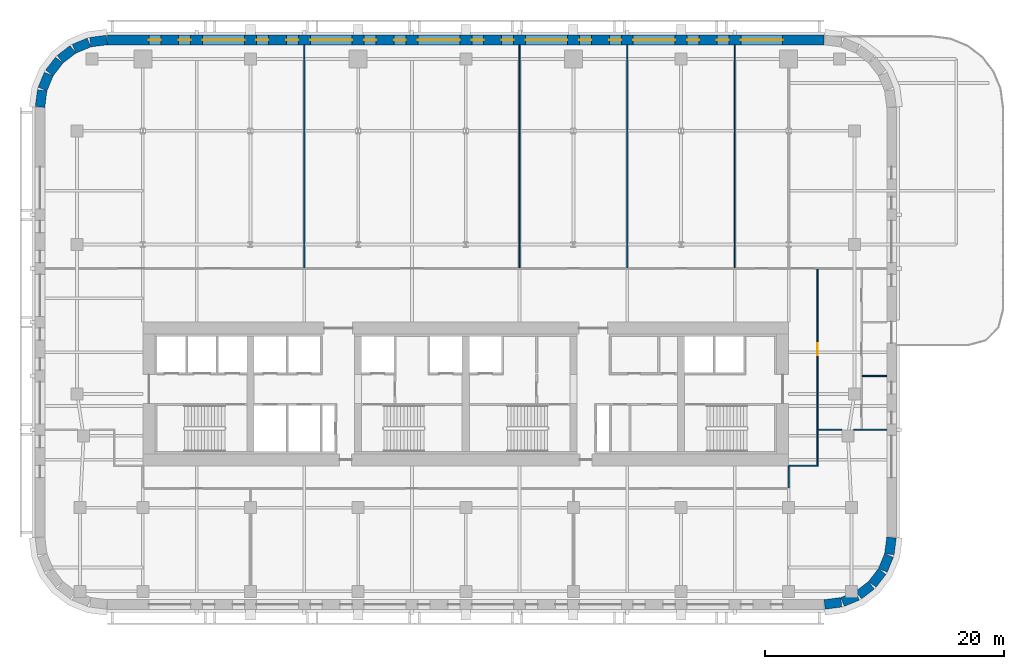
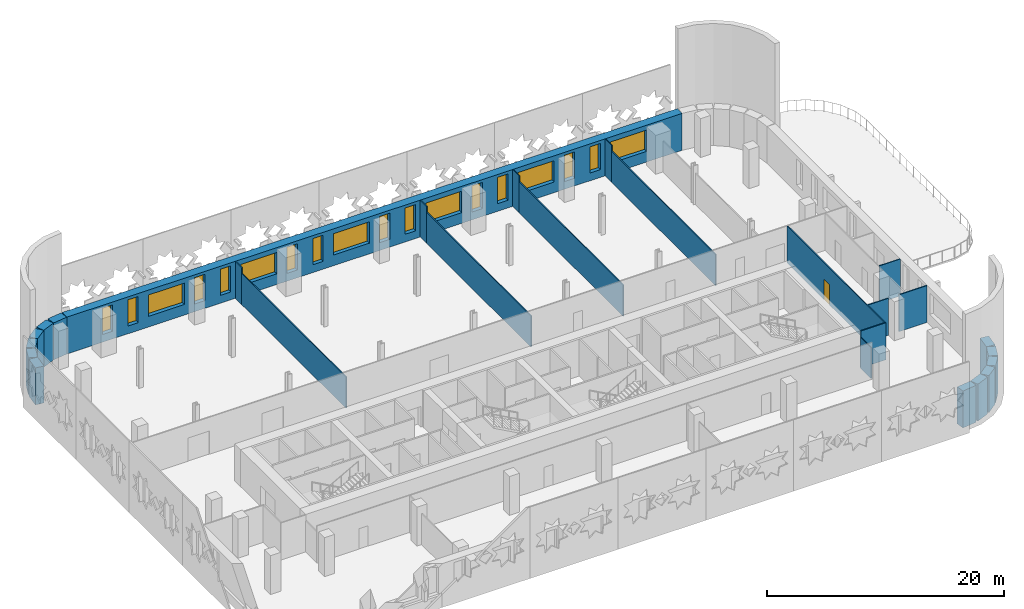
# One storey, part 6 of 11: 27 walls, 18 windows, 1 door, 19 openings.
"""IFC4 building model written with IfcOpenShell, lengths in metres."""

from ifc_helpers import new_model, si_unit, direction, frame, frame_2d, origin, place, context, subcontext, project, spatial, rectangle, extrude, material, layer, layer_set, type_object, element, fill, save


model = new_model("IFC4")

# Units and contexts
model_context = context("Model", 3, precision=1e-05, world=origin(), true_north=direction((0.0, 1.0)))
body_context = subcontext(model_context, "Body", "Model", "MODEL_VIEW")
ifc_project = project(units=[si_unit("LENGTHUNIT", "METRE"), si_unit("AREAUNIT", "SQUARE_METRE"), si_unit("VOLUMEUNIT", "CUBIC_METRE"), si_unit("PLANEANGLEUNIT", "RADIAN"), si_unit("MASSUNIT", "GRAM", prefix="KILO")], contexts=[model_context])

# Site, building, storey
site_placement = place(None, origin())
site = spatial("IfcSite", under=ifc_project, at=site_placement, CompositionType="ELEMENT")
building_placement = place(site_placement, origin())
building = spatial("IfcBuilding", under=site, at=building_placement, Name="Zellij Exchange Tower", CompositionType="ELEMENT")
storey_placement = place(building_placement, frame((0.0, 0.0, 144.5)))
storey = spatial("IfcBuildingStorey", under=building, at=storey_placement, Name="L32", CompositionType="ELEMENT", Elevation=144.5)

# Walls
ifc_material_1 = material(Name="Precast concrete C40/50", Category="concrete")
ifc_layer_1 = layer(ifc_material_1, 0.800048828125)
ifc_layer_set_1 = layer_set([ifc_layer_1], Name="Precast concrete C40/50")
wall_type_1 = type_object("IfcWallType", Name="ENV-EW1 Precast stone-piered wall 800", PredefinedType="SOLIDWALL", material=ifc_layer_set_1)
wall_1_placement = place(storey_placement, frame((29.999755859375, -25.5966796875, 0.0), z_axis=(0.0, 0.0, 1.0), x_axis=(0.99144603414, 0.130517283865, 0.0)))
element("IfcWall", 1, at=wall_1_placement, inside=storey, type_object=wall_type_1, Name="fac.L32.01", PredefinedType="SOLIDWALL", context=body_context, shape_type="SweptSolid", body=[
    extrude(rectangle(XDim=1.408447265625, YDim=0.800048828125, at=frame_2d((0.7041015625, 0.0))), origin(), (0.0, 0.0, 1.0), 3.800048828125),
])
wall_2_placement = place(storey_placement, frame((31.497314453125, -25.3857421875, 0.0), z_axis=(0.0, 0.0, 1.0), x_axis=(0.923847774587, 0.38276009378, 0.0)))
element("IfcWall", 2, at=wall_2_placement, inside=storey, type_object=wall_type_1, Name="fac.L32.02", PredefinedType="SOLIDWALL", context=body_context, shape_type="SweptSolid", body=[
    extrude(rectangle(XDim=1.35546875, YDim=0.800048828125, at=frame_2d((0.677734375, 0.0))), origin(), (0.0, 0.0, 1.0), 3.800048828125),
])
for number, where, z_axis, x_axis, name in (
    (3, (32.840087890625, -24.814697265625, 0.0), (0.0, 0.0, 1.0), (0.793272915452, 0.608866226366, 0.0), "fac.L32.03"),
    (4, (33.9892578125, -23.91552734375, 0.0), (0.0, 0.0, 1.0), (0.608866226366, 0.793272915452, 0.0), "fac.L32.04"),
):
    element("IfcWall", number, at=place(storey_placement, frame(where, z_axis=z_axis, x_axis=x_axis)), inside=storey, type_object=wall_type_1, Name=name, PredefinedType="SOLIDWALL", context=body_context, shape_type="SweptSolid", body=[
        extrude(rectangle(XDim=1.355712890625, YDim=0.800048828125, at=frame_2d((0.677734375, 0.0))), origin(), (0.0, 0.0, 1.0), 3.800048828125),
    ])
wall_3_placement = place(storey_placement, frame((34.866943359375, -22.74951171875, 0.0), z_axis=(0.0, 0.0, 1.0), x_axis=(0.38276009378, 0.923847774587, 0.0)))
element("IfcWall", 5, at=wall_3_placement, inside=storey, type_object=wall_type_1, Name="fac.L32.05", PredefinedType="SOLIDWALL", context=body_context, shape_type="SweptSolid", body=[
    extrude(rectangle(XDim=1.35546875, YDim=0.800048828125, at=frame_2d((0.677734375, 0.0))), origin(), (0.0, 0.0, 1.0), 3.800048828125),
])
wall_4_placement = place(storey_placement, frame((35.412841796875, -21.396240234375, 0.0), z_axis=(0.0, 0.0, 1.0), x_axis=(0.130517283865, 0.99144603414, 0.0)))
element("IfcWall", 6, at=wall_4_placement, inside=storey, type_object=wall_type_1, Name="fac.L32.06", PredefinedType="SOLIDWALL", context=body_context, shape_type="SweptSolid", body=[
    extrude(rectangle(XDim=1.408447265625, YDim=0.800048828125, at=frame_2d((0.7041015625, 0.0))), origin(), (0.0, 0.0, 1.0), 3.800048828125),
])

# Wall, openings, windows
wall_5_placement = place(storey_placement, frame((29.947509765625, 21.60009765625, 0.0), z_axis=(0.0, 0.0, 1.0), x_axis=(-1.0, 0.0, 0.0)))
wall_5 = element("IfcWall", 7, at=wall_5_placement, inside=storey, type_object=wall_type_1, Name="fac.L32.14", PredefinedType="SOLIDWALL", context=body_context, shape_type="SweptSolid", body=[
    extrude(rectangle(XDim=59.89501953125, YDim=0.800048828125, at=frame_2d((29.947509765625, 0.0))), origin(), (0.0, 0.0, 1.0), 3.800048828125),
])
opening_1_placement = place(wall_5_placement, frame((3.447509765625, 0.0, 1.10009765625)))
opening_1 = element("IfcOpeningElement", 8, at=opening_1_placement, cuts=wall_5, Name="Opening FZ2.26", PredefinedType="OPENING", context=body_context, shape_type="SweptSolid", body=[
    extrude(rectangle(XDim=3.5, YDim=2.199951171875, at=frame_2d((1.75, 1.10009765625))), frame((0.0, 0.412109375, 0.0), z_axis=(0.0, -1.0, 0.0), x_axis=(1.0, 0.0, 0.0)), (0.0, 0.0, 1.0), 0.823974609375),
])
opening_2_placement = place(wall_5_placement, frame((7.947509765625, 0.0, 0.800048828125)))
opening_2 = element("IfcOpeningElement", 9, at=opening_2_placement, cuts=wall_5, Name="Opening FZ2.27", PredefinedType="OPENING", context=body_context, shape_type="SweptSolid", body=[
    extrude(rectangle(XDim=1.0, YDim=2.699951171875, at=frame_2d((0.5, 1.35009765625))), frame((0.0, 0.412109375, 0.0), z_axis=(0.0, -1.0, 0.0), x_axis=(1.0, 0.0, 0.0)), (0.0, 0.0, 1.0), 0.823974609375),
])
opening_3_placement = place(wall_5_placement, frame((10.447509765625, 0.0, 0.800048828125)))
opening_3 = element("IfcOpeningElement", 10, at=opening_3_placement, cuts=wall_5, Name="Opening FZ2.28", PredefinedType="OPENING", context=body_context, shape_type="SweptSolid", body=[
    extrude(rectangle(XDim=1.0, YDim=2.699951171875, at=frame_2d((0.5, 1.35009765625))), frame((0.0, 0.412109375, 0.0), z_axis=(0.0, -1.0, 0.0), x_axis=(1.0, 0.0, 0.0)), (0.0, 0.0, 1.0), 0.823974609375),
])
opening_4_placement = place(wall_5_placement, frame((12.447509765625, 0.0, 1.10009765625)))
opening_4 = element("IfcOpeningElement", 11, at=opening_4_placement, cuts=wall_5, Name="Opening FZ2.29", PredefinedType="OPENING", context=body_context, shape_type="SweptSolid", body=[
    extrude(rectangle(XDim=3.5, YDim=2.199951171875, at=frame_2d((1.75, 1.10009765625))), frame((0.0, 0.412109375, 0.0), z_axis=(0.0, -1.0, 0.0), x_axis=(1.0, 0.0, 0.0)), (0.0, 0.0, 1.0), 0.823974609375),
])
opening_5_placement = place(wall_5_placement, frame((16.947509765625, 0.0, 0.800048828125)))
opening_5 = element("IfcOpeningElement", 12, at=opening_5_placement, cuts=wall_5, Name="Opening FZ2.30", PredefinedType="OPENING", context=body_context, shape_type="SweptSolid", body=[
    extrude(rectangle(XDim=1.0, YDim=2.699951171875, at=frame_2d((0.5, 1.35009765625))), frame((0.0, 0.412109375, 0.0), z_axis=(0.0, -1.0, 0.0), x_axis=(1.0, 0.0, 0.0)), (0.0, 0.0, 1.0), 0.823974609375),
])
opening_6_placement = place(wall_5_placement, frame((19.447509765625, 0.0, 0.800048828125)))
opening_6 = element("IfcOpeningElement", 13, at=opening_6_placement, cuts=wall_5, Name="Opening FZ2.31", PredefinedType="OPENING", context=body_context, shape_type="SweptSolid", body=[
    extrude(rectangle(XDim=1.0, YDim=2.699951171875, at=frame_2d((0.5, 1.35009765625))), frame((0.0, 0.412109375, 0.0), z_axis=(0.0, -1.0, 0.0), x_axis=(1.0, 0.0, 0.0)), (0.0, 0.0, 1.0), 0.823974609375),
])
opening_7_placement = place(wall_5_placement, frame((21.447509765625, 0.0, 1.10009765625)))
opening_7 = element("IfcOpeningElement", 14, at=opening_7_placement, cuts=wall_5, Name="Opening FZ2.32", PredefinedType="OPENING", context=body_context, shape_type="SweptSolid", body=[
    extrude(rectangle(XDim=3.5, YDim=2.199951171875, at=frame_2d((1.75, 1.10009765625))), frame((0.0, 0.412109375, 0.0), z_axis=(0.0, -1.0, 0.0), x_axis=(1.0, 0.0, 0.0)), (0.0, 0.0, 1.0), 0.823974609375),
])
opening_8_placement = place(wall_5_placement, frame((25.947509765625, 0.0, 0.800048828125)))
opening_8 = element("IfcOpeningElement", 15, at=opening_8_placement, cuts=wall_5, Name="Opening FZ2.33", PredefinedType="OPENING", context=body_context, shape_type="SweptSolid", body=[
    extrude(rectangle(XDim=1.0, YDim=2.699951171875, at=frame_2d((0.5, 1.35009765625))), frame((0.0, 0.412109375, 0.0), z_axis=(0.0, -1.0, 0.0), x_axis=(1.0, 0.0, 0.0)), (0.0, 0.0, 1.0), 0.823974609375),
])
opening_9_placement = place(wall_5_placement, frame((28.447509765625, 0.0, 0.800048828125)))
opening_9 = element("IfcOpeningElement", 16, at=opening_9_placement, cuts=wall_5, Name="Opening FZ2.34", PredefinedType="OPENING", context=body_context, shape_type="SweptSolid", body=[
    extrude(rectangle(XDim=1.0, YDim=2.699951171875, at=frame_2d((0.5, 1.35009765625))), frame((0.0, 0.412109375, 0.0), z_axis=(0.0, -1.0, 0.0), x_axis=(1.0, 0.0, 0.0)), (0.0, 0.0, 1.0), 0.823974609375),
])
opening_10_placement = place(wall_5_placement, frame((30.447509765625, 0.0, 1.10009765625)))
opening_10 = element("IfcOpeningElement", 17, at=opening_10_placement, cuts=wall_5, Name="Opening FZ2.35", PredefinedType="OPENING", context=body_context, shape_type="SweptSolid", body=[
    extrude(rectangle(XDim=3.5, YDim=2.199951171875, at=frame_2d((1.75, 1.10009765625))), frame((0.0, 0.412109375, 0.0), z_axis=(0.0, -1.0, 0.0), x_axis=(1.0, 0.0, 0.0)), (0.0, 0.0, 1.0), 0.823974609375),
])
opening_11_placement = place(wall_5_placement, frame((34.947509765625, 0.0, 0.800048828125)))
opening_11 = element("IfcOpeningElement", 18, at=opening_11_placement, cuts=wall_5, Name="Opening FZ2.36", PredefinedType="OPENING", context=body_context, shape_type="SweptSolid", body=[
    extrude(rectangle(XDim=1.0, YDim=2.699951171875, at=frame_2d((0.5, 1.35009765625))), frame((0.0, 0.412109375, 0.0), z_axis=(0.0, -1.0, 0.0), x_axis=(1.0, 0.0, 0.0)), (0.0, 0.0, 1.0), 0.823974609375),
])
opening_12_placement = place(wall_5_placement, frame((37.447509765625, 0.0, 0.800048828125)))
opening_12 = element("IfcOpeningElement", 19, at=opening_12_placement, cuts=wall_5, Name="Opening FZ2.37", PredefinedType="OPENING", context=body_context, shape_type="SweptSolid", body=[
    extrude(rectangle(XDim=1.0, YDim=2.699951171875, at=frame_2d((0.5, 1.35009765625))), frame((0.0, 0.412109375, 0.0), z_axis=(0.0, -1.0, 0.0), x_axis=(1.0, 0.0, 0.0)), (0.0, 0.0, 1.0), 0.823974609375),
])
opening_13_placement = place(wall_5_placement, frame((39.447509765625, 0.0, 1.10009765625)))
opening_13 = element("IfcOpeningElement", 20, at=opening_13_placement, cuts=wall_5, Name="Opening FZ2.38", PredefinedType="OPENING", context=body_context, shape_type="SweptSolid", body=[
    extrude(rectangle(XDim=3.5, YDim=2.199951171875, at=frame_2d((1.75, 1.10009765625))), frame((0.0, 0.412109375, 0.0), z_axis=(0.0, -1.0, 0.0), x_axis=(1.0, 0.0, 0.0)), (0.0, 0.0, 1.0), 0.823974609375),
])
opening_14_placement = place(wall_5_placement, frame((43.947509765625, 0.0, 0.800048828125)))
opening_14 = element("IfcOpeningElement", 21, at=opening_14_placement, cuts=wall_5, Name="Opening FZ2.39", PredefinedType="OPENING", context=body_context, shape_type="SweptSolid", body=[
    extrude(rectangle(XDim=1.0, YDim=2.699951171875, at=frame_2d((0.5, 1.35009765625))), frame((0.0, 0.412109375, 0.0), z_axis=(0.0, -1.0, 0.0), x_axis=(1.0, 0.0, 0.0)), (0.0, 0.0, 1.0), 0.823974609375),
])
opening_15_placement = place(wall_5_placement, frame((46.447509765625, 0.0, 0.800048828125)))
opening_15 = element("IfcOpeningElement", 22, at=opening_15_placement, cuts=wall_5, Name="Opening FZ2.40", PredefinedType="OPENING", context=body_context, shape_type="SweptSolid", body=[
    extrude(rectangle(XDim=1.0, YDim=2.699951171875, at=frame_2d((0.5, 1.35009765625))), frame((0.0, 0.412109375, 0.0), z_axis=(0.0, -1.0, 0.0), x_axis=(1.0, 0.0, 0.0)), (0.0, 0.0, 1.0), 0.823974609375),
])
opening_16_placement = place(wall_5_placement, frame((48.447509765625, 0.0, 1.10009765625)))
opening_16 = element("IfcOpeningElement", 23, at=opening_16_placement, cuts=wall_5, Name="Opening FZ2.41", PredefinedType="OPENING", context=body_context, shape_type="SweptSolid", body=[
    extrude(rectangle(XDim=3.5, YDim=2.199951171875, at=frame_2d((1.75, 1.10009765625))), frame((0.0, 0.412109375, 0.0), z_axis=(0.0, -1.0, 0.0), x_axis=(1.0, 0.0, 0.0)), (0.0, 0.0, 1.0), 0.823974609375),
])
opening_17_placement = place(wall_5_placement, frame((52.947509765625, 0.0, 0.800048828125)))
opening_17 = element("IfcOpeningElement", 24, at=opening_17_placement, cuts=wall_5, Name="Opening FZ2.42", PredefinedType="OPENING", context=body_context, shape_type="SweptSolid", body=[
    extrude(rectangle(XDim=1.0, YDim=2.699951171875, at=frame_2d((0.5, 1.35009765625))), frame((0.0, 0.412109375, 0.0), z_axis=(0.0, -1.0, 0.0), x_axis=(1.0, 0.0, 0.0)), (0.0, 0.0, 1.0), 0.823974609375),
])
opening_18_placement = place(wall_5_placement, frame((55.447509765625, 0.0, 0.800048828125)))
opening_18 = element("IfcOpeningElement", 25, at=opening_18_placement, cuts=wall_5, Name="Opening FZ2.43", PredefinedType="OPENING", context=body_context, shape_type="SweptSolid", body=[
    extrude(rectangle(XDim=1.0, YDim=2.699951171875, at=frame_2d((0.5, 1.35009765625))), frame((0.0, 0.412109375, 0.0), z_axis=(0.0, -1.0, 0.0), x_axis=(1.0, 0.0, 0.0)), (0.0, 0.0, 1.0), 0.823974609375),
])
ifc_material_2 = material(Name="Aluminium frame with insulating glass", Category="aluminium")
window_type_1 = type_object("IfcWindowType", Name="ENV-W7 Window 3500x2200", PartitioningType="SINGLE_PANEL", PredefinedType="WINDOW", material=ifc_material_2)
window_1_placement = place(opening_1_placement, origin())
window_1 = element("IfcWindow", 26, at=window_1_placement, inside=storey, type_object=window_type_1, Name="Window FZ2.26", OverallHeight=2.199951171875, OverallWidth=3.5, PartitioningType="SINGLE_PANEL", PredefinedType="WINDOW", context=body_context, shape_type="SweptSolid", body=[
    extrude(rectangle(XDim=3.5, YDim=2.199951171875, at=frame_2d((1.75, 1.10009765625))), frame((0.0, 0.030029296875, 0.0), z_axis=(0.0, -1.0, 0.0), x_axis=(1.0, 0.0, 0.0)), (0.0, 0.0, 1.0), 0.06005859375),
])
fill(opening_1, window_1)
window_2_placement = place(opening_4_placement, origin())
window_2 = element("IfcWindow", 27, at=window_2_placement, inside=storey, type_object=window_type_1, Name="Window FZ2.29", OverallHeight=2.199951171875, OverallWidth=3.5, PartitioningType="SINGLE_PANEL", PredefinedType="WINDOW", context=body_context, shape_type="SweptSolid", body=[
    extrude(rectangle(XDim=3.5, YDim=2.199951171875, at=frame_2d((1.75, 1.10009765625))), frame((0.0, 0.030029296875, 0.0), z_axis=(0.0, -1.0, 0.0), x_axis=(1.0, 0.0, 0.0)), (0.0, 0.0, 1.0), 0.06005859375),
])
fill(opening_4, window_2)
window_3_placement = place(opening_7_placement, origin())
window_3 = element("IfcWindow", 28, at=window_3_placement, inside=storey, type_object=window_type_1, Name="Window FZ2.32", OverallHeight=2.199951171875, OverallWidth=3.5, PartitioningType="SINGLE_PANEL", PredefinedType="WINDOW", context=body_context, shape_type="SweptSolid", body=[
    extrude(rectangle(XDim=3.5, YDim=2.199951171875, at=frame_2d((1.75, 1.10009765625))), frame((0.0, 0.030029296875, 0.0), z_axis=(0.0, -1.0, 0.0), x_axis=(1.0, 0.0, 0.0)), (0.0, 0.0, 1.0), 0.06005859375),
])
fill(opening_7, window_3)
window_4_placement = place(opening_10_placement, origin())
window_4 = element("IfcWindow", 29, at=window_4_placement, inside=storey, type_object=window_type_1, Name="Window FZ2.35", OverallHeight=2.199951171875, OverallWidth=3.5, PartitioningType="SINGLE_PANEL", PredefinedType="WINDOW", context=body_context, shape_type="SweptSolid", body=[
    extrude(rectangle(XDim=3.5, YDim=2.199951171875, at=frame_2d((1.75, 1.10009765625))), frame((0.0, 0.030029296875, 0.0), z_axis=(0.0, -1.0, 0.0), x_axis=(1.0, 0.0, 0.0)), (0.0, 0.0, 1.0), 0.06005859375),
])
fill(opening_10, window_4)
window_5_placement = place(opening_13_placement, origin())
window_5 = element("IfcWindow", 30, at=window_5_placement, inside=storey, type_object=window_type_1, Name="Window FZ2.38", OverallHeight=2.199951171875, OverallWidth=3.5, PartitioningType="SINGLE_PANEL", PredefinedType="WINDOW", context=body_context, shape_type="SweptSolid", body=[
    extrude(rectangle(XDim=3.5, YDim=2.199951171875, at=frame_2d((1.75, 1.10009765625))), frame((0.0, 0.030029296875, 0.0), z_axis=(0.0, -1.0, 0.0), x_axis=(1.0, 0.0, 0.0)), (0.0, 0.0, 1.0), 0.06005859375),
])
fill(opening_13, window_5)
window_6_placement = place(opening_16_placement, origin())
window_6 = element("IfcWindow", 31, at=window_6_placement, inside=storey, type_object=window_type_1, Name="Window FZ2.41", OverallHeight=2.199951171875, OverallWidth=3.5, PartitioningType="SINGLE_PANEL", PredefinedType="WINDOW", context=body_context, shape_type="SweptSolid", body=[
    extrude(rectangle(XDim=3.5, YDim=2.199951171875, at=frame_2d((1.75, 1.10009765625))), frame((0.0, 0.030029296875, 0.0), z_axis=(0.0, -1.0, 0.0), x_axis=(1.0, 0.0, 0.0)), (0.0, 0.0, 1.0), 0.06005859375),
])
fill(opening_16, window_6)
window_type_2 = type_object("IfcWindowType", Name="ENV-W8 Window 1000x2700", PartitioningType="SINGLE_PANEL", PredefinedType="WINDOW", material=ifc_material_2)
window_7_placement = place(opening_2_placement, origin())
window_7 = element("IfcWindow", 32, at=window_7_placement, inside=storey, type_object=window_type_2, Name="Window FZ2.27", OverallHeight=2.699951171875, OverallWidth=1.0, PartitioningType="SINGLE_PANEL", PredefinedType="WINDOW", context=body_context, shape_type="SweptSolid", body=[
    extrude(rectangle(XDim=1.0, YDim=2.699951171875, at=frame_2d((0.5, 1.35009765625))), frame((0.0, 0.030029296875, 0.0), z_axis=(0.0, -1.0, 0.0), x_axis=(1.0, 0.0, 0.0)), (0.0, 0.0, 1.0), 0.06005859375),
])
fill(opening_2, window_7)
window_8_placement = place(opening_3_placement, origin())
window_8 = element("IfcWindow", 33, at=window_8_placement, inside=storey, type_object=window_type_2, Name="Window FZ2.28", OverallHeight=2.699951171875, OverallWidth=1.0, PartitioningType="SINGLE_PANEL", PredefinedType="WINDOW", context=body_context, shape_type="SweptSolid", body=[
    extrude(rectangle(XDim=1.0, YDim=2.699951171875, at=frame_2d((0.5, 1.35009765625))), frame((0.0, 0.030029296875, 0.0), z_axis=(0.0, -1.0, 0.0), x_axis=(1.0, 0.0, 0.0)), (0.0, 0.0, 1.0), 0.06005859375),
])
fill(opening_3, window_8)
window_9_placement = place(opening_5_placement, origin())
window_9 = element("IfcWindow", 34, at=window_9_placement, inside=storey, type_object=window_type_2, Name="Window FZ2.30", OverallHeight=2.699951171875, OverallWidth=1.0, PartitioningType="SINGLE_PANEL", PredefinedType="WINDOW", context=body_context, shape_type="SweptSolid", body=[
    extrude(rectangle(XDim=1.0, YDim=2.699951171875, at=frame_2d((0.5, 1.35009765625))), frame((0.0, 0.030029296875, 0.0), z_axis=(0.0, -1.0, 0.0), x_axis=(1.0, 0.0, 0.0)), (0.0, 0.0, 1.0), 0.06005859375),
])
fill(opening_5, window_9)
window_10_placement = place(opening_6_placement, origin())
window_10 = element("IfcWindow", 35, at=window_10_placement, inside=storey, type_object=window_type_2, Name="Window FZ2.31", OverallHeight=2.699951171875, OverallWidth=1.0, PartitioningType="SINGLE_PANEL", PredefinedType="WINDOW", context=body_context, shape_type="SweptSolid", body=[
    extrude(rectangle(XDim=1.0, YDim=2.699951171875, at=frame_2d((0.5, 1.35009765625))), frame((0.0, 0.030029296875, 0.0), z_axis=(0.0, -1.0, 0.0), x_axis=(1.0, 0.0, 0.0)), (0.0, 0.0, 1.0), 0.06005859375),
])
fill(opening_6, window_10)
window_11_placement = place(opening_8_placement, origin())
window_11 = element("IfcWindow", 36, at=window_11_placement, inside=storey, type_object=window_type_2, Name="Window FZ2.33", OverallHeight=2.699951171875, OverallWidth=1.0, PartitioningType="SINGLE_PANEL", PredefinedType="WINDOW", context=body_context, shape_type="SweptSolid", body=[
    extrude(rectangle(XDim=1.0, YDim=2.699951171875, at=frame_2d((0.5, 1.35009765625))), frame((0.0, 0.030029296875, 0.0), z_axis=(0.0, -1.0, 0.0), x_axis=(1.0, 0.0, 0.0)), (0.0, 0.0, 1.0), 0.06005859375),
])
fill(opening_8, window_11)
window_12_placement = place(opening_9_placement, origin())
window_12 = element("IfcWindow", 37, at=window_12_placement, inside=storey, type_object=window_type_2, Name="Window FZ2.34", OverallHeight=2.699951171875, OverallWidth=1.0, PartitioningType="SINGLE_PANEL", PredefinedType="WINDOW", context=body_context, shape_type="SweptSolid", body=[
    extrude(rectangle(XDim=1.0, YDim=2.699951171875, at=frame_2d((0.5, 1.35009765625))), frame((0.0, 0.030029296875, 0.0), z_axis=(0.0, -1.0, 0.0), x_axis=(1.0, 0.0, 0.0)), (0.0, 0.0, 1.0), 0.06005859375),
])
fill(opening_9, window_12)
window_13_placement = place(opening_11_placement, origin())
window_13 = element("IfcWindow", 38, at=window_13_placement, inside=storey, type_object=window_type_2, Name="Window FZ2.36", OverallHeight=2.699951171875, OverallWidth=1.0, PartitioningType="SINGLE_PANEL", PredefinedType="WINDOW", context=body_context, shape_type="SweptSolid", body=[
    extrude(rectangle(XDim=1.0, YDim=2.699951171875, at=frame_2d((0.5, 1.35009765625))), frame((0.0, 0.030029296875, 0.0), z_axis=(0.0, -1.0, 0.0), x_axis=(1.0, 0.0, 0.0)), (0.0, 0.0, 1.0), 0.06005859375),
])
fill(opening_11, window_13)
window_14_placement = place(opening_12_placement, origin())
window_14 = element("IfcWindow", 39, at=window_14_placement, inside=storey, type_object=window_type_2, Name="Window FZ2.37", OverallHeight=2.699951171875, OverallWidth=1.0, PartitioningType="SINGLE_PANEL", PredefinedType="WINDOW", context=body_context, shape_type="SweptSolid", body=[
    extrude(rectangle(XDim=1.0, YDim=2.699951171875, at=frame_2d((0.5, 1.35009765625))), frame((0.0, 0.030029296875, 0.0), z_axis=(0.0, -1.0, 0.0), x_axis=(1.0, 0.0, 0.0)), (0.0, 0.0, 1.0), 0.06005859375),
])
fill(opening_12, window_14)
window_15_placement = place(opening_14_placement, origin())
window_15 = element("IfcWindow", 40, at=window_15_placement, inside=storey, type_object=window_type_2, Name="Window FZ2.39", OverallHeight=2.699951171875, OverallWidth=1.0, PartitioningType="SINGLE_PANEL", PredefinedType="WINDOW", context=body_context, shape_type="SweptSolid", body=[
    extrude(rectangle(XDim=1.0, YDim=2.699951171875, at=frame_2d((0.5, 1.35009765625))), frame((0.0, 0.030029296875, 0.0), z_axis=(0.0, -1.0, 0.0), x_axis=(1.0, 0.0, 0.0)), (0.0, 0.0, 1.0), 0.06005859375),
])
fill(opening_14, window_15)
window_16_placement = place(opening_15_placement, origin())
window_16 = element("IfcWindow", 41, at=window_16_placement, inside=storey, type_object=window_type_2, Name="Window FZ2.40", OverallHeight=2.699951171875, OverallWidth=1.0, PartitioningType="SINGLE_PANEL", PredefinedType="WINDOW", context=body_context, shape_type="SweptSolid", body=[
    extrude(rectangle(XDim=1.0, YDim=2.699951171875, at=frame_2d((0.5, 1.35009765625))), frame((0.0, 0.030029296875, 0.0), z_axis=(0.0, -1.0, 0.0), x_axis=(1.0, 0.0, 0.0)), (0.0, 0.0, 1.0), 0.06005859375),
])
fill(opening_15, window_16)
window_17_placement = place(opening_17_placement, origin())
window_17 = element("IfcWindow", 42, at=window_17_placement, inside=storey, type_object=window_type_2, Name="Window FZ2.42", OverallHeight=2.699951171875, OverallWidth=1.0, PartitioningType="SINGLE_PANEL", PredefinedType="WINDOW", context=body_context, shape_type="SweptSolid", body=[
    extrude(rectangle(XDim=1.0, YDim=2.699951171875, at=frame_2d((0.5, 1.35009765625))), frame((0.0, 0.030029296875, 0.0), z_axis=(0.0, -1.0, 0.0), x_axis=(1.0, 0.0, 0.0)), (0.0, 0.0, 1.0), 0.06005859375),
])
fill(opening_17, window_17)
window_18_placement = place(opening_18_placement, origin())
window_18 = element("IfcWindow", 43, at=window_18_placement, inside=storey, type_object=window_type_2, Name="Window FZ2.43", OverallHeight=2.699951171875, OverallWidth=1.0, PartitioningType="SINGLE_PANEL", PredefinedType="WINDOW", context=body_context, shape_type="SweptSolid", body=[
    extrude(rectangle(XDim=1.0, YDim=2.699951171875, at=frame_2d((0.5, 1.35009765625))), frame((0.0, 0.030029296875, 0.0), z_axis=(0.0, -1.0, 0.0), x_axis=(1.0, 0.0, 0.0)), (0.0, 0.0, 1.0), 0.06005859375),
])
fill(opening_18, window_18)

# Walls
wall_6_placement = place(storey_placement, frame((-29.999755859375, 21.5966796875, 0.0), z_axis=(0.0, 0.0, 1.0), x_axis=(-0.99144603414, -0.130517283865, 0.0)))
element("IfcWall", 44, at=wall_6_placement, inside=storey, type_object=wall_type_1, Name="fac.L32.15", PredefinedType="SOLIDWALL", context=body_context, shape_type="SweptSolid", body=[
    extrude(rectangle(XDim=1.408447265625, YDim=0.800048828125, at=frame_2d((0.7041015625, 0.0))), origin(), (0.0, 0.0, 1.0), 3.800048828125),
])
wall_7_placement = place(storey_placement, frame((-31.497314453125, 21.3857421875, 0.0), z_axis=(0.0, 0.0, 1.0), x_axis=(-0.923847774587, -0.38276009378, 0.0)))
element("IfcWall", 45, at=wall_7_placement, inside=storey, type_object=wall_type_1, Name="fac.L32.16", PredefinedType="SOLIDWALL", context=body_context, shape_type="SweptSolid", body=[
    extrude(rectangle(XDim=1.35546875, YDim=0.800048828125, at=frame_2d((0.677734375, 0.0))), origin(), (0.0, 0.0, 1.0), 3.800048828125),
])
for number, where, z_axis, x_axis, name in (
    (46, (-32.840087890625, 20.814697265625, 0.0), (0.0, 0.0, 1.0), (-0.793272915452, -0.608866226366, 0.0), "fac.L32.17"),
    (47, (-33.9892578125, 19.91552734375, 0.0), (0.0, 0.0, 1.0), (-0.608866226366, -0.793272915452, 0.0), "fac.L32.18"),
):
    element("IfcWall", number, at=place(storey_placement, frame(where, z_axis=z_axis, x_axis=x_axis)), inside=storey, type_object=wall_type_1, Name=name, PredefinedType="SOLIDWALL", context=body_context, shape_type="SweptSolid", body=[
        extrude(rectangle(XDim=1.355712890625, YDim=0.800048828125, at=frame_2d((0.677734375, 0.0))), origin(), (0.0, 0.0, 1.0), 3.800048828125),
    ])
wall_8_placement = place(storey_placement, frame((-34.866943359375, 18.74951171875, 0.0), z_axis=(0.0, 0.0, 1.0), x_axis=(-0.38276009378, -0.923847774587, 0.0)))
element("IfcWall", 48, at=wall_8_placement, inside=storey, type_object=wall_type_1, Name="fac.L32.19", PredefinedType="SOLIDWALL", context=body_context, shape_type="SweptSolid", body=[
    extrude(rectangle(XDim=1.35546875, YDim=0.800048828125, at=frame_2d((0.677734375, 0.0))), origin(), (0.0, 0.0, 1.0), 3.800048828125),
])
wall_9_placement = place(storey_placement, frame((-35.412841796875, 17.396240234375, 0.0), z_axis=(0.0, 0.0, 1.0), x_axis=(-0.130517283865, -0.99144603414, 0.0)))
element("IfcWall", 49, at=wall_9_placement, inside=storey, type_object=wall_type_1, Name="fac.L32.20", PredefinedType="SOLIDWALL", context=body_context, shape_type="SweptSolid", body=[
    extrude(rectangle(XDim=1.408447265625, YDim=0.800048828125, at=frame_2d((0.7041015625, 0.0))), origin(), (0.0, 0.0, 1.0), 3.800048828125),
])
ifc_material_3 = material(Name="Gypsum board partition on steel studs", Category="steel")
ifc_layer_2 = layer(ifc_material_3, 0.10009765625)
ifc_layer_set_2 = layer_set([ifc_layer_2], Name="Gypsum board partition on steel studs")
wall_type_2 = type_object("IfcWallType", Name="FIT-PARTITION-100", PredefinedType="PARTITIONING", material=ifc_layer_set_2)
wall_10_placement = place(storey_placement, frame((27.0, -15.85009765625, 0.0), z_axis=(0.0, 0.0, 1.0), x_axis=(0.0, 1.0, 0.0)))
element("IfcWall", 50, at=wall_10_placement, inside=storey, type_object=wall_type_2, Name="FIT-PARTITION-100 007", PredefinedType="PARTITIONING", context=body_context, shape_type="SweptSolid", body=[
    extrude(rectangle(XDim=1.800048828125, YDim=0.10009765625, at=frame_2d((0.89990234375, 0.0))), origin(), (0.0, 0.0, 1.0), 3.18798828125),
])
wall_11_placement = place(storey_placement, frame((27.0, -14.0, 0.0), z_axis=(0.0, 0.0, 1.0), x_axis=(1.0, 0.0, 0.0)))
element("IfcWall", 51, at=wall_11_placement, inside=storey, type_object=wall_type_2, Name="FIT-PARTITION-100 010", PredefinedType="PARTITIONING", context=body_context, shape_type="SweptSolid", body=[
    extrude(rectangle(XDim=2.449951171875, YDim=0.10009765625, at=frame_2d((1.22509765625, 0.0))), origin(), (0.0, 0.0, 1.0), 3.800048828125),
])

# Wall, opening, door
wall_12_placement = place(storey_placement, frame((29.39990234375, -13.949951171875, 0.0), z_axis=(0.0, 0.0, 1.0), x_axis=(0.0, 1.0, 0.0)))
wall_12 = element("IfcWall", 52, at=wall_12_placement, inside=storey, type_object=wall_type_2, Name="FIT-PARTITION-100 011", PredefinedType="PARTITIONING", context=body_context, shape_type="SweptSolid", body=[
    extrude(rectangle(XDim=16.389892578125, YDim=0.10009765625, at=frame_2d((8.19482421875, 0.0))), origin(), (0.0, 0.0, 1.0), 3.800048828125),
])
opening_19_placement = place(wall_12_placement, frame((9.2099609375, 0.0, 0.0)))
opening_19 = element("IfcOpeningElement", 53, at=opening_19_placement, cuts=wall_12, Name="Opening TH.05", PredefinedType="OPENING", context=body_context, shape_type="SweptSolid", body=[
    extrude(rectangle(XDim=1.0, YDim=2.10009765625, at=frame_2d((0.5, 1.050048828125))), frame((0.0, 0.06201171875, 0.0), z_axis=(0.0, -1.0, 0.0), x_axis=(1.0, 0.0, 0.0)), (0.0, 0.0, 1.0), 0.1240234375),
])
ifc_material_4 = material(Name="Timber door set", Category="wood")
door_type = type_object("IfcDoorType", Name="FIT-D2-WIDE-1000X2100", OperationType="SINGLE_SWING_LEFT", PredefinedType="DOOR", material=ifc_material_4)
door_placement = place(opening_19_placement, origin())
door = element("IfcDoor", 54, at=door_placement, inside=storey, type_object=door_type, Name="Door TH.05", OperationType="SINGLE_SWING_LEFT", OverallHeight=2.10009765625, OverallWidth=1.0, PredefinedType="DOOR", context=body_context, shape_type="SweptSolid", body=[
    extrude(rectangle(XDim=1.0, YDim=2.10009765625, at=frame_2d((0.5, 1.050048828125))), frame((0.0, 0.02490234375, 0.0), z_axis=(0.0, -1.0, 0.0), x_axis=(1.0, 0.0, 0.0)), (0.0, 0.0, 1.0), 0.050048828125),
])
fill(opening_19, door)

# Walls
wall_13_placement = place(storey_placement, frame((29.449951171875, -10.989990234375, 0.0), z_axis=(0.0, 0.0, 1.0), x_axis=(1.0, 0.0, 0.0)))
element("IfcWall", 55, at=wall_13_placement, inside=storey, type_object=wall_type_2, Name="FIT-PARTITION-100 014", PredefinedType="PARTITIONING", context=body_context, shape_type="SweptSolid", body=[
    extrude(rectangle(XDim=2.0, YDim=0.10009765625, at=frame_2d((1.0, 0.0))), origin(), (0.0, 0.0, 1.0), 3.800048828125),
])
wall_14_placement = place(storey_placement, frame((32.449951171875, -10.989990234375, 0.0), z_axis=(0.0, 0.0, 1.0), x_axis=(1.0, 0.0, 0.0)))
element("IfcWall", 56, at=wall_14_placement, inside=storey, type_object=wall_type_2, Name="FIT-PARTITION-100 015", PredefinedType="PARTITIONING", context=body_context, shape_type="SweptSolid", body=[
    extrude(rectangle(XDim=2.75, YDim=0.10009765625, at=frame_2d((1.375, 0.0))), origin(), (0.0, 0.0, 1.0), 3.800048828125),
])
wall_15_placement = place(storey_placement, frame((33.14990234375, -6.489990234375, 0.0), z_axis=(0.0, 0.0, 1.0), x_axis=(1.0, 0.0, 0.0)))
element("IfcWall", 57, at=wall_15_placement, inside=storey, type_object=wall_type_2, Name="FIT-PARTITION-100 017", PredefinedType="PARTITIONING", context=body_context, shape_type="SweptSolid", body=[
    extrude(rectangle(XDim=2.050048828125, YDim=0.10009765625, at=frame_2d((1.02490234375, 0.0))), origin(), (0.0, 0.0, 1.0), 3.800048828125),
])
wall_16_placement = place(storey_placement, frame((-13.5, 2.5400390625, 0.0), z_axis=(0.0, 0.0, 1.0), x_axis=(0.0, 1.0, 0.0)))
element("IfcWall", 58, at=wall_16_placement, inside=storey, type_object=wall_type_2, Name="FIT-PARTITION-100 020", PredefinedType="PARTITIONING", context=body_context, shape_type="SweptSolid", body=[
    extrude(rectangle(XDim=17.574462890625, YDim=0.10009765625, at=frame_2d((8.787109375, 0.0))), origin(), (0.0, 0.0, 1.0), 3.197998046875),
])
wall_17_placement = place(storey_placement, frame((-13.5, 20.114501953125, 0.0), z_axis=(0.0, 0.0, 1.0), x_axis=(0.0, 1.0, 0.0)))
element("IfcWall", 59, at=wall_17_placement, inside=storey, type_object=wall_type_2, Name="FIT-PARTITION-100 021", PredefinedType="PARTITIONING", context=body_context, shape_type="SweptSolid", body=[
    extrude(rectangle(XDim=1.08544921875, YDim=0.10009765625, at=frame_2d((0.542724609375, 0.0))), origin(), (0.0, 0.0, 1.0), 3.800048828125),
])
wall_18_placement = place(storey_placement, frame((4.5, 2.5400390625, 0.0), z_axis=(0.0, 0.0, 1.0), x_axis=(0.0, 1.0, 0.0)))
element("IfcWall", 60, at=wall_18_placement, inside=storey, type_object=wall_type_2, Name="FIT-PARTITION-100 022", PredefinedType="PARTITIONING", context=body_context, shape_type="SweptSolid", body=[
    extrude(rectangle(XDim=17.574462890625, YDim=0.10009765625, at=frame_2d((8.787109375, 0.0))), origin(), (0.0, 0.0, 1.0), 3.197998046875),
])
wall_19_placement = place(storey_placement, frame((4.5, 20.114501953125, 0.0), z_axis=(0.0, 0.0, 1.0), x_axis=(0.0, 1.0, 0.0)))
element("IfcWall", 61, at=wall_19_placement, inside=storey, type_object=wall_type_2, Name="FIT-PARTITION-100 023", PredefinedType="PARTITIONING", context=body_context, shape_type="SweptSolid", body=[
    extrude(rectangle(XDim=1.08544921875, YDim=0.10009765625, at=frame_2d((0.542724609375, 0.0))), origin(), (0.0, 0.0, 1.0), 3.800048828125),
])
wall_20_placement = place(storey_placement, frame((13.5, 2.5400390625, 0.0), z_axis=(0.0, 0.0, 1.0), x_axis=(0.0, 1.0, 0.0)))
element("IfcWall", 62, at=wall_20_placement, inside=storey, type_object=wall_type_2, Name="FIT-PARTITION-100 024", PredefinedType="PARTITIONING", context=body_context, shape_type="SweptSolid", body=[
    extrude(rectangle(XDim=17.574462890625, YDim=0.10009765625, at=frame_2d((8.787109375, 0.0))), origin(), (0.0, 0.0, 1.0), 3.197998046875),
])
wall_21_placement = place(storey_placement, frame((13.5, 20.114501953125, 0.0), z_axis=(0.0, 0.0, 1.0), x_axis=(0.0, 1.0, 0.0)))
element("IfcWall", 63, at=wall_21_placement, inside=storey, type_object=wall_type_2, Name="FIT-PARTITION-100 025", PredefinedType="PARTITIONING", context=body_context, shape_type="SweptSolid", body=[
    extrude(rectangle(XDim=1.08544921875, YDim=0.10009765625, at=frame_2d((0.542724609375, 0.0))), origin(), (0.0, 0.0, 1.0), 3.800048828125),
])
wall_22_placement = place(storey_placement, frame((22.5, 2.5400390625, 0.0), z_axis=(0.0, 0.0, 1.0), x_axis=(0.0, 1.0, 0.0)))
element("IfcWall", 64, at=wall_22_placement, inside=storey, type_object=wall_type_2, Name="FIT-PARTITION-100 026", PredefinedType="PARTITIONING", context=body_context, shape_type="SweptSolid", body=[
    extrude(rectangle(XDim=17.574462890625, YDim=0.10009765625, at=frame_2d((8.787109375, 0.0))), origin(), (0.0, 0.0, 1.0), 3.197998046875),
])
wall_23_placement = place(storey_placement, frame((22.5, 20.114501953125, 0.0), z_axis=(0.0, 0.0, 1.0), x_axis=(0.0, 1.0, 0.0)))
element("IfcWall", 65, at=wall_23_placement, inside=storey, type_object=wall_type_2, Name="FIT-PARTITION-100 027", PredefinedType="PARTITIONING", context=body_context, shape_type="SweptSolid", body=[
    extrude(rectangle(XDim=1.08544921875, YDim=0.10009765625, at=frame_2d((0.542724609375, 0.0))), origin(), (0.0, 0.0, 1.0), 3.800048828125),
])

save(model, "model.ifc")
